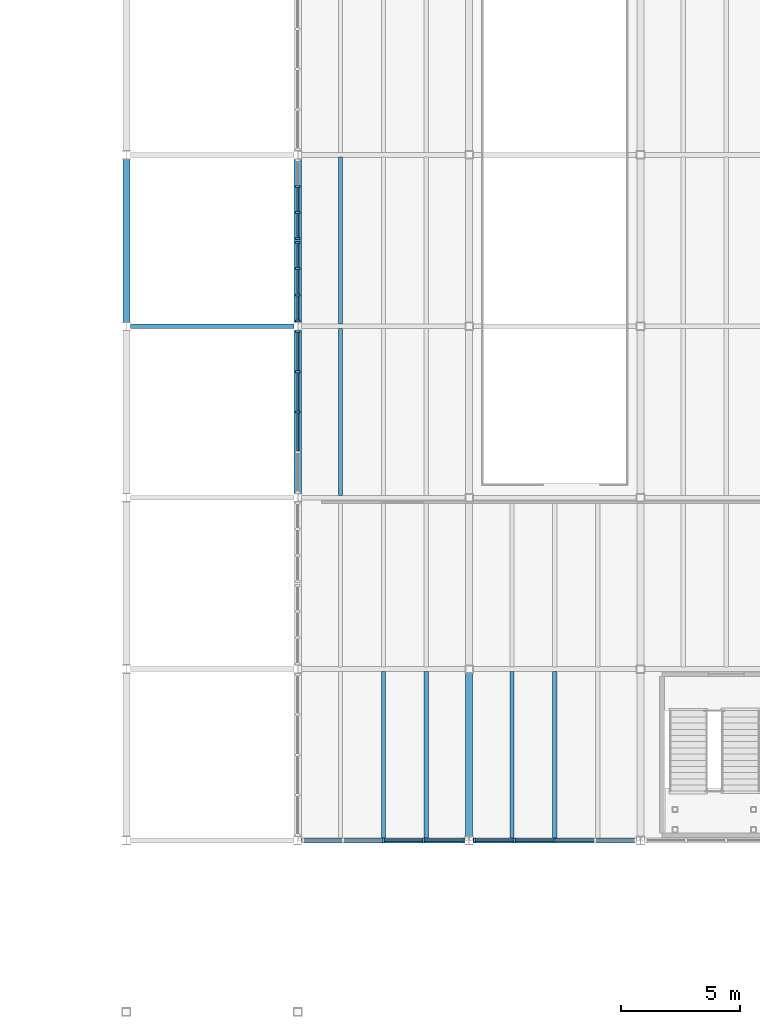
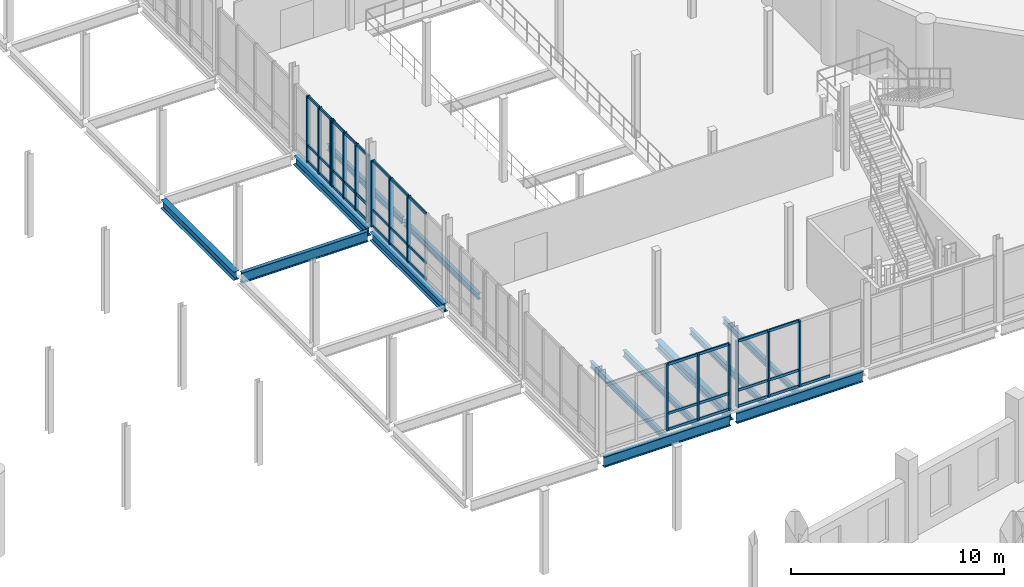
# One storey, part 21 of 77: 53 members, 13 beams, 5 elements without a shape of their own.
"""IFC4 building model written with IfcOpenShell, lengths in metres."""

from ifc_helpers import new_model, si_unit, direction, frame, origin, origin_2d, place, context, subcontext, project, spatial, rectangle, i_section, extrude, material, material_profile, profile_set, type_object, element, aggregate, save


model = new_model("IFC4")

# Units and contexts
model_context = context("Model", 3, precision=1e-05, world=origin(), true_north=direction((0.0, 1.0)))
body_context = subcontext(model_context, "Body", "Model", "MODEL_VIEW")
ifc_project = project(units=[si_unit("LENGTHUNIT", "METRE"), si_unit("AREAUNIT", "SQUARE_METRE"), si_unit("VOLUMEUNIT", "CUBIC_METRE"), si_unit("PLANEANGLEUNIT", "RADIAN"), si_unit("MASSUNIT", "GRAM", prefix="KILO")], contexts=[model_context])

# Site, building, storey
site_placement = place(None, origin())
site = spatial("IfcSite", under=ifc_project, at=site_placement, CompositionType="ELEMENT")
building_placement = place(site_placement, origin())
building = spatial("IfcBuilding", under=site, at=building_placement, Name="Qiaolan Assembly House", CompositionType="ELEMENT")
storey_placement = place(building_placement, frame((0.0, 0.0, 5.39990234375)))
storey = spatial("IfcBuildingStorey", under=building, at=storey_placement, Name="L01", CompositionType="ELEMENT", Elevation=5.39990234375)

# Beams
ifc_material_1 = material(Name="Steel Q355B", Category="steel")
ifc_material_profile_1 = material_profile(ifc_material_1, i_section(OverallWidth=0.300048828125, OverallDepth=0.488037109375, WebThickness=0.010986328125, FlangeThickness=0.01806640625, FilletRadius=0.02001953125, at=origin_2d()), Name="HM 488x300x11x18")
ifc_profile_set_1 = profile_set([ifc_material_profile_1], Name="Steel Q355B")
beam_type_1 = type_object("IfcBeamType", Name="BM-STL-HM488", PredefinedType="BEAM", material=ifc_profile_set_1)
for number, where, z_axis, x_axis, name in (
    (1, (21.60009765625, 57.764892578125, -0.5439453125), (0.0, 1.0, 0.0), (-1.0, 0.0, 0.0), "SB-04 beam BMY-HL-L01-00-03"),
    (2, (28.800048828125, 50.56494140625, -0.5439453125), (0.0, 1.0, 0.0), (-1.0, 0.0, 0.0), "SB-04 beam BMY-HL-L01-01-02"),
    (3, (28.800048828125, 57.764892578125, -0.5439453125), (0.0, 1.0, 0.0), (-1.0, 0.0, 0.0), "SB-04 beam BMY-HL-L01-01-03"),
):
    element("IfcBeam", number, at=place(storey_placement, frame(where, z_axis=z_axis, x_axis=x_axis)), inside=storey, type_object=beam_type_1, Name=name, PredefinedType="BEAM", context=body_context, shape_type="SweptSolid", body=[
        extrude(i_section(OverallWidth=0.300048828125, OverallDepth=0.488037109375, WebThickness=0.010986328125, FlangeThickness=0.01806640625, FilletRadius=0.02001953125, at=origin_2d()), origin(), (0.0, 0.0, 1.0), 6.8701171875),
    ])
beam_1_placement = place(storey_placement, frame((36.0, 36.1650390625, -0.5439453125), z_axis=(0.0, 1.0, 0.0), x_axis=(-1.0, 0.0, 0.0)))
element("IfcBeam", 4, at=beam_1_placement, inside=storey, type_object=beam_type_1, Name="SB-04 beam BMY-HL-L01-02-00", PredefinedType="BEAM", context=body_context, shape_type="SweptSolid", body=[
    extrude(i_section(OverallWidth=0.300048828125, OverallDepth=0.488037109375, WebThickness=0.010986328125, FlangeThickness=0.01806640625, FilletRadius=0.02001953125, at=origin_2d()), origin(), (0.0, 0.0, 1.0), 6.885009765625),
])
ifc_material_profile_2 = material_profile(ifc_material_1, i_section(OverallWidth=0.199951171875, OverallDepth=0.60009765625, WebThickness=0.010986328125, FlangeThickness=0.01708984375, FilletRadius=0.02001953125, at=origin_2d()), Name="HN 600x200x11x17")
ifc_profile_set_2 = profile_set([ifc_material_profile_2], Name="Steel Q355B")
beam_type_2 = type_object("IfcBeamType", Name="BM-STL-HN600", PredefinedType="BEAM", material=ifc_profile_set_2)
for number, where, z_axis, x_axis, name in (
    (5, (28.965087890625, 36.0, -0.599853515625), (1.0, 0.0, 0.0), (0.0, 1.0, 0.0), "SB-03 beam BMX-HL-L01-01-00"),
    (6, (36.1650390625, 36.0, -0.599853515625), (1.0, 0.0, 0.0), (0.0, 1.0, 0.0), "SB-03 beam BMX-HL-L01-02-00"),
):
    element("IfcBeam", number, at=place(storey_placement, frame(where, z_axis=z_axis, x_axis=x_axis)), inside=storey, type_object=beam_type_2, Name=name, PredefinedType="BEAM", context=body_context, shape_type="SweptSolid", body=[
        extrude(i_section(OverallWidth=0.199951171875, OverallDepth=0.60009765625, WebThickness=0.010986328125, FlangeThickness=0.01708984375, FilletRadius=0.02001953125, at=origin_2d()), origin(), (0.0, 0.0, 1.0), 6.869873046875),
    ])
beam_2_placement = place(storey_placement, frame((21.764892578125, 57.60009765625, -0.599853515625), z_axis=(1.0, 0.0, 0.0), x_axis=(0.0, 1.0, 0.0)))
element("IfcBeam", 7, at=beam_2_placement, inside=storey, type_object=beam_type_2, Name="SB-03 beam BMX-HL-L01-00-03", PredefinedType="BEAM", context=body_context, shape_type="SweptSolid", body=[
    extrude(i_section(OverallWidth=0.199951171875, OverallDepth=0.60009765625, WebThickness=0.010986328125, FlangeThickness=0.01708984375, FilletRadius=0.02001953125, at=origin_2d()), origin(), (0.0, 0.0, 1.0), 6.8701171875),
])

# Curtain wall, members
ifc_material_2 = material(Name="Anodised bronze aluminium", Category="aluminium")
curtain_wall_type = type_object("IfcCurtainWallType", Name="CW-HALL-UPPER-480", PredefinedType="NOTDEFINED", material=ifc_material_2)
curtain_wall_1_placement = place(storey_placement, origin())
curtain_wall_1 = element("IfcCurtainWall", 8, at=curtain_wall_1_placement, inside=storey, type_object=curtain_wall_type, Name="CW-01 Hall West facade L01-2", PredefinedType="NOTDEFINED")
ifc_material_profile_3 = material_profile(ifc_material_2, rectangle(XDim=0.0859375, YDim=0.199951171875, at=origin_2d()), Name="MUL 86x200")
ifc_profile_set_3 = profile_set([ifc_material_profile_3], Name="Anodised bronze aluminium")
member_type_1 = type_object("IfcMemberType", Name="CW-HALL-UPPER-480-MUL", PredefinedType="MULLION", material=ifc_profile_set_3)
member_1_placement = place(storey_placement, frame((28.800048828125, 54.0, 0.0), z_axis=(0.0, 0.0, 1.0), x_axis=(0.0, 1.0, 0.0)))
member_1 = element("IfcMember", 9, at=member_1_placement, type_object=member_type_1, Name="ML-02 mullion CW-HALL-W-L01-2-3", PredefinedType="MULLION", context=body_context, shape_type="SweptSolid", body=[
    extrude(rectangle(XDim=0.0859375, YDim=0.199951171875, at=origin_2d()), origin(), (0.0, 0.0, 1.0), 3.800048828125),
])
member_2_placement = place(storey_placement, frame((28.800048828125, 55.68994140625, 0.0), z_axis=(0.0, 0.0, 1.0), x_axis=(0.0, 1.0, 0.0)))
member_2 = element("IfcMember", 10, at=member_2_placement, type_object=member_type_1, Name="ML-02 mullion CW-HALL-W-L01-2-4", PredefinedType="MULLION", context=body_context, shape_type="SweptSolid", body=[
    extrude(rectangle(XDim=0.0859375, YDim=0.199951171875, at=origin_2d()), origin(), (0.0, 0.0, 1.0), 3.800048828125),
])
member_3_placement = place(storey_placement, frame((28.800048828125, 57.3798828125, 0.0), z_axis=(0.0, 0.0, 1.0), x_axis=(0.0, 1.0, 0.0)))
member_3 = element("IfcMember", 11, at=member_3_placement, type_object=member_type_1, Name="ML-02 mullion CW-HALL-W-L01-2-5", PredefinedType="MULLION", context=body_context, shape_type="SweptSolid", body=[
    extrude(rectangle(XDim=0.0859375, YDim=0.199951171875, at=origin_2d()), origin(), (0.0, 0.0, 1.0), 3.800048828125),
])

curtain_wall_2_placement = place(storey_placement, origin())
curtain_wall_2 = element("IfcCurtainWall", 12, at=curtain_wall_2_placement, inside=storey, type_object=curtain_wall_type, Name="CW-01 Hall West facade L01-3A", PredefinedType="NOTDEFINED")
member_4_placement = place(storey_placement, frame((28.800048828125, 57.820068359375, 0.0), z_axis=(0.0, 0.0, 1.0), x_axis=(0.0, 1.0, 0.0)))
member_4 = element("IfcMember", 13, at=member_4_placement, type_object=member_type_1, Name="ML-02 mullion CW-HALL-W-L01-3A-1", PredefinedType="MULLION", context=body_context, shape_type="SweptSolid", body=[
    extrude(rectangle(XDim=0.0859375, YDim=0.199951171875, at=origin_2d()), origin(), (0.0, 0.0, 1.0), 3.800048828125),
])
member_5_placement = place(storey_placement, frame((28.800048828125, 58.919921875, 0.0), z_axis=(0.0, 0.0, 1.0), x_axis=(0.0, 1.0, 0.0)))
member_5 = element("IfcMember", 14, at=member_5_placement, type_object=member_type_1, Name="ML-02 mullion CW-HALL-W-L01-3A-2", PredefinedType="MULLION", context=body_context, shape_type="SweptSolid", body=[
    extrude(rectangle(XDim=0.0859375, YDim=0.199951171875, at=origin_2d()), origin(), (0.0, 0.0, 1.0), 3.800048828125),
])
member_6_placement = place(storey_placement, frame((28.800048828125, 60.02001953125, 0.0), z_axis=(0.0, 0.0, 1.0), x_axis=(0.0, 1.0, 0.0)))
member_6 = element("IfcMember", 15, at=member_6_placement, type_object=member_type_1, Name="ML-02 mullion CW-HALL-W-L01-3A-3", PredefinedType="MULLION", context=body_context, shape_type="SweptSolid", body=[
    extrude(rectangle(XDim=0.0859375, YDim=0.199951171875, at=origin_2d()), origin(), (0.0, 0.0, 1.0), 3.800048828125),
])
member_7_placement = place(storey_placement, frame((28.800048828125, 61.1201171875, 0.0), z_axis=(0.0, 0.0, 1.0), x_axis=(0.0, 1.0, 0.0)))
member_7 = element("IfcMember", 16, at=member_7_placement, type_object=member_type_1, Name="ML-02 mullion CW-HALL-W-L01-3A-4", PredefinedType="MULLION", context=body_context, shape_type="SweptSolid", body=[
    extrude(rectangle(XDim=0.0859375, YDim=0.199951171875, at=origin_2d()), origin(), (0.0, 0.0, 1.0), 3.800048828125),
])

curtain_wall_3_placement = place(storey_placement, origin())
curtain_wall_3 = element("IfcCurtainWall", 17, at=curtain_wall_3_placement, inside=storey, type_object=curtain_wall_type, Name="CW-01 Hall West facade L01-3B", PredefinedType="NOTDEFINED")
member_8_placement = place(storey_placement, frame((28.800048828125, 61.280029296875, 0.0), z_axis=(0.0, 0.0, 1.0), x_axis=(0.0, 1.0, 0.0)))
member_8 = element("IfcMember", 18, at=member_8_placement, type_object=member_type_1, Name="ML-02 mullion CW-HALL-W-L01-3B-1", PredefinedType="MULLION", context=body_context, shape_type="SweptSolid", body=[
    extrude(rectangle(XDim=0.0859375, YDim=0.199951171875, at=origin_2d()), origin(), (0.0, 0.0, 1.0), 3.800048828125),
])
member_9_placement = place(storey_placement, frame((28.800048828125, 62.3798828125, 0.0), z_axis=(0.0, 0.0, 1.0), x_axis=(0.0, 1.0, 0.0)))
member_9 = element("IfcMember", 19, at=member_9_placement, type_object=member_type_1, Name="ML-02 mullion CW-HALL-W-L01-3B-2", PredefinedType="MULLION", context=body_context, shape_type="SweptSolid", body=[
    extrude(rectangle(XDim=0.0859375, YDim=0.199951171875, at=origin_2d()), origin(), (0.0, 0.0, 1.0), 3.800048828125),
])
member_10_placement = place(storey_placement, frame((28.800048828125, 63.47998046875, 0.0), z_axis=(0.0, 0.0, 1.0), x_axis=(0.0, 1.0, 0.0)))
member_10 = element("IfcMember", 20, at=member_10_placement, type_object=member_type_1, Name="ML-02 mullion CW-HALL-W-L01-3B-3", PredefinedType="MULLION", context=body_context, shape_type="SweptSolid", body=[
    extrude(rectangle(XDim=0.0859375, YDim=0.199951171875, at=origin_2d()), origin(), (0.0, 0.0, 1.0), 3.800048828125),
])

curtain_wall_4_placement = place(storey_placement, origin())
curtain_wall_4 = element("IfcCurtainWall", 21, at=curtain_wall_4_placement, inside=storey, type_object=curtain_wall_type, Name="CW-01 Hall South plaza curtain wall L01-1", PredefinedType="NOTDEFINED")
member_11_placement = place(storey_placement, frame((32.39990234375, 36.0, 0.0), z_axis=(0.0, 0.0, 1.0), x_axis=(1.0, 0.0, 0.0)))
member_11 = element("IfcMember", 22, at=member_11_placement, type_object=member_type_1, Name="ML-02 mullion CW-HALL-S-L01-00-3", PredefinedType="MULLION", context=body_context, shape_type="SweptSolid", body=[
    extrude(rectangle(XDim=0.0859375, YDim=0.199951171875, at=origin_2d()), origin(), (0.0, 0.0, 1.0), 3.800048828125),
])
member_12_placement = place(storey_placement, frame((34.090087890625, 36.0, 0.0), z_axis=(0.0, 0.0, 1.0), x_axis=(1.0, 0.0, 0.0)))
member_12 = element("IfcMember", 23, at=member_12_placement, type_object=member_type_1, Name="ML-02 mullion CW-HALL-S-L01-00-4", PredefinedType="MULLION", context=body_context, shape_type="SweptSolid", body=[
    extrude(rectangle(XDim=0.0859375, YDim=0.199951171875, at=origin_2d()), origin(), (0.0, 0.0, 1.0), 3.800048828125),
])
member_13_placement = place(storey_placement, frame((35.780029296875, 36.0, 0.0), z_axis=(0.0, 0.0, 1.0), x_axis=(1.0, 0.0, 0.0)))
member_13 = element("IfcMember", 24, at=member_13_placement, type_object=member_type_1, Name="ML-02 mullion CW-HALL-S-L01-00-5", PredefinedType="MULLION", context=body_context, shape_type="SweptSolid", body=[
    extrude(rectangle(XDim=0.0859375, YDim=0.199951171875, at=origin_2d()), origin(), (0.0, 0.0, 1.0), 3.800048828125),
])

curtain_wall_5_placement = place(storey_placement, origin())
curtain_wall_5 = element("IfcCurtainWall", 25, at=curtain_wall_5_placement, inside=storey, type_object=curtain_wall_type, Name="CW-01 Hall South plaza curtain wall L01-2", PredefinedType="NOTDEFINED")
member_14_placement = place(storey_placement, frame((36.219970703125, 36.0, 0.0), z_axis=(0.0, 0.0, 1.0), x_axis=(1.0, 0.0, 0.0)))
member_14 = element("IfcMember", 26, at=member_14_placement, type_object=member_type_1, Name="ML-02 mullion CW-HALL-S-L01-01-1", PredefinedType="MULLION", context=body_context, shape_type="SweptSolid", body=[
    extrude(rectangle(XDim=0.0859375, YDim=0.199951171875, at=origin_2d()), origin(), (0.0, 0.0, 1.0), 3.800048828125),
])
member_15_placement = place(storey_placement, frame((37.909912109375, 36.0, 0.0), z_axis=(0.0, 0.0, 1.0), x_axis=(1.0, 0.0, 0.0)))
member_15 = element("IfcMember", 27, at=member_15_placement, type_object=member_type_1, Name="ML-02 mullion CW-HALL-S-L01-01-2", PredefinedType="MULLION", context=body_context, shape_type="SweptSolid", body=[
    extrude(rectangle(XDim=0.0859375, YDim=0.199951171875, at=origin_2d()), origin(), (0.0, 0.0, 1.0), 3.800048828125),
])
member_16_placement = place(storey_placement, frame((39.60009765625, 36.0, 0.0), z_axis=(0.0, 0.0, 1.0), x_axis=(1.0, 0.0, 0.0)))
member_16 = element("IfcMember", 28, at=member_16_placement, type_object=member_type_1, Name="ML-02 mullion CW-HALL-S-L01-01-3", PredefinedType="MULLION", context=body_context, shape_type="SweptSolid", body=[
    extrude(rectangle(XDim=0.0859375, YDim=0.199951171875, at=origin_2d()), origin(), (0.0, 0.0, 1.0), 3.800048828125),
])

# Member
ifc_material_profile_4 = material_profile(ifc_material_2, rectangle(XDim=0.075927734375, YDim=0.14990234375, at=origin_2d()), Name="TRN 76x150")
ifc_profile_set_4 = profile_set([ifc_material_profile_4], Name="Anodised bronze aluminium")
member_type_2 = type_object("IfcMemberType", Name="CW-HALL-UPPER-480-TRN", PredefinedType="USERDEFINED", material=ifc_profile_set_4)
member_17_placement = place(storey_placement, frame((28.800048828125, 52.35302734375, 0.030029296875), z_axis=(0.0, 1.0, 0.0), x_axis=(-1.0, 0.0, 0.0)))
member_17 = element("IfcMember", 29, at=member_17_placement, type_object=member_type_2, Name="TR-02 transom CW-HALL-W-L01-2-2-1", ObjectType="TRANSOM", PredefinedType="USERDEFINED", context=body_context, shape_type="SweptSolid", body=[
    extrude(rectangle(XDim=0.075927734375, YDim=0.14990234375, at=origin_2d()), origin(), (0.0, 0.0, 1.0), 1.60400390625),
])

member_18_placement = place(storey_placement, frame((28.800048828125, 52.35302734375, 0.9501953125), z_axis=(0.0, 1.0, 0.0), x_axis=(-1.0, 0.0, 0.0)))
member_18 = element("IfcMember", 30, at=member_18_placement, type_object=member_type_2, Name="TR-02 transom CW-HALL-W-L01-2-2-2", ObjectType="TRANSOM", PredefinedType="USERDEFINED", context=body_context, shape_type="SweptSolid", body=[
    extrude(rectangle(XDim=0.075927734375, YDim=0.14990234375, at=origin_2d()), origin(), (0.0, 0.0, 1.0), 1.60400390625),
])

member_19_placement = place(storey_placement, frame((28.800048828125, 52.35302734375, 3.77001953125), z_axis=(0.0, 1.0, 0.0), x_axis=(-1.0, 0.0, 0.0)))
member_19 = element("IfcMember", 31, at=member_19_placement, type_object=member_type_2, Name="TR-02 transom CW-HALL-W-L01-2-2-3", ObjectType="TRANSOM", PredefinedType="USERDEFINED", context=body_context, shape_type="SweptSolid", body=[
    extrude(rectangle(XDim=0.075927734375, YDim=0.14990234375, at=origin_2d()), origin(), (0.0, 0.0, 1.0), 1.60400390625),
])

member_20_placement = place(storey_placement, frame((28.800048828125, 54.04296875, 0.030029296875), z_axis=(0.0, 1.0, 0.0), x_axis=(-1.0, 0.0, 0.0)))
member_20 = element("IfcMember", 32, at=member_20_placement, type_object=member_type_2, Name="TR-02 transom CW-HALL-W-L01-2-3-1", ObjectType="TRANSOM", PredefinedType="USERDEFINED", context=body_context, shape_type="SweptSolid", body=[
    extrude(rectangle(XDim=0.075927734375, YDim=0.14990234375, at=origin_2d()), origin(), (0.0, 0.0, 1.0), 1.60400390625),
])

member_21_placement = place(storey_placement, frame((28.800048828125, 54.04296875, 0.9501953125), z_axis=(0.0, 1.0, 0.0), x_axis=(-1.0, 0.0, 0.0)))
member_21 = element("IfcMember", 33, at=member_21_placement, type_object=member_type_2, Name="TR-02 transom CW-HALL-W-L01-2-3-2", ObjectType="TRANSOM", PredefinedType="USERDEFINED", context=body_context, shape_type="SweptSolid", body=[
    extrude(rectangle(XDim=0.075927734375, YDim=0.14990234375, at=origin_2d()), origin(), (0.0, 0.0, 1.0), 1.60400390625),
])

member_22_placement = place(storey_placement, frame((28.800048828125, 54.04296875, 3.77001953125), z_axis=(0.0, 1.0, 0.0), x_axis=(-1.0, 0.0, 0.0)))
member_22 = element("IfcMember", 34, at=member_22_placement, type_object=member_type_2, Name="TR-02 transom CW-HALL-W-L01-2-3-3", ObjectType="TRANSOM", PredefinedType="USERDEFINED", context=body_context, shape_type="SweptSolid", body=[
    extrude(rectangle(XDim=0.075927734375, YDim=0.14990234375, at=origin_2d()), origin(), (0.0, 0.0, 1.0), 1.60400390625),
])

member_23_placement = place(storey_placement, frame((28.800048828125, 55.73291015625, 0.030029296875), z_axis=(0.0, 1.0, 0.0), x_axis=(-1.0, 0.0, 0.0)))
member_23 = element("IfcMember", 35, at=member_23_placement, type_object=member_type_2, Name="TR-02 transom CW-HALL-W-L01-2-4-1", ObjectType="TRANSOM", PredefinedType="USERDEFINED", context=body_context, shape_type="SweptSolid", body=[
    extrude(rectangle(XDim=0.075927734375, YDim=0.14990234375, at=origin_2d()), origin(), (0.0, 0.0, 1.0), 1.60400390625),
])

member_24_placement = place(storey_placement, frame((28.800048828125, 55.73291015625, 0.9501953125), z_axis=(0.0, 1.0, 0.0), x_axis=(-1.0, 0.0, 0.0)))
member_24 = element("IfcMember", 36, at=member_24_placement, type_object=member_type_2, Name="TR-02 transom CW-HALL-W-L01-2-4-2", ObjectType="TRANSOM", PredefinedType="USERDEFINED", context=body_context, shape_type="SweptSolid", body=[
    extrude(rectangle(XDim=0.075927734375, YDim=0.14990234375, at=origin_2d()), origin(), (0.0, 0.0, 1.0), 1.60400390625),
])

member_25_placement = place(storey_placement, frame((28.800048828125, 55.73291015625, 3.77001953125), z_axis=(0.0, 1.0, 0.0), x_axis=(-1.0, 0.0, 0.0)))
member_25 = element("IfcMember", 37, at=member_25_placement, type_object=member_type_2, Name="TR-02 transom CW-HALL-W-L01-2-4-3", ObjectType="TRANSOM", PredefinedType="USERDEFINED", context=body_context, shape_type="SweptSolid", body=[
    extrude(rectangle(XDim=0.075927734375, YDim=0.14990234375, at=origin_2d()), origin(), (0.0, 0.0, 1.0), 1.60400390625),
])

aggregate(curtain_wall_1, [member_1, member_2, member_3, member_17, member_18, member_19, member_20, member_21, member_22, member_23, member_24, member_25])

member_26_placement = place(storey_placement, frame((28.800048828125, 57.863037109375, 0.030029296875), z_axis=(0.0, 1.0, 0.0), x_axis=(-1.0, 0.0, 0.0)))
member_26 = element("IfcMember", 38, at=member_26_placement, type_object=member_type_2, Name="TR-02 transom CW-HALL-W-L01-3A-1-1", ObjectType="TRANSOM", PredefinedType="USERDEFINED", context=body_context, shape_type="SweptSolid", body=[
    extrude(rectangle(XDim=0.075927734375, YDim=0.14990234375, at=origin_2d()), origin(), (0.0, 0.0, 1.0), 1.013916015625),
])

member_27_placement = place(storey_placement, frame((28.800048828125, 57.863037109375, 0.9501953125), z_axis=(0.0, 1.0, 0.0), x_axis=(-1.0, 0.0, 0.0)))
member_27 = element("IfcMember", 39, at=member_27_placement, type_object=member_type_2, Name="TR-02 transom CW-HALL-W-L01-3A-1-2", ObjectType="TRANSOM", PredefinedType="USERDEFINED", context=body_context, shape_type="SweptSolid", body=[
    extrude(rectangle(XDim=0.075927734375, YDim=0.14990234375, at=origin_2d()), origin(), (0.0, 0.0, 1.0), 1.013916015625),
])

member_28_placement = place(storey_placement, frame((28.800048828125, 57.863037109375, 3.77001953125), z_axis=(0.0, 1.0, 0.0), x_axis=(-1.0, 0.0, 0.0)))
member_28 = element("IfcMember", 40, at=member_28_placement, type_object=member_type_2, Name="TR-02 transom CW-HALL-W-L01-3A-1-3", ObjectType="TRANSOM", PredefinedType="USERDEFINED", context=body_context, shape_type="SweptSolid", body=[
    extrude(rectangle(XDim=0.075927734375, YDim=0.14990234375, at=origin_2d()), origin(), (0.0, 0.0, 1.0), 1.013916015625),
])

member_29_placement = place(storey_placement, frame((28.800048828125, 58.962890625, 0.030029296875), z_axis=(0.0, 1.0, 0.0), x_axis=(-1.0, 0.0, 0.0)))
member_29 = element("IfcMember", 41, at=member_29_placement, type_object=member_type_2, Name="TR-02 transom CW-HALL-W-L01-3A-2-1", ObjectType="TRANSOM", PredefinedType="USERDEFINED", context=body_context, shape_type="SweptSolid", body=[
    extrude(rectangle(XDim=0.075927734375, YDim=0.14990234375, at=origin_2d()), origin(), (0.0, 0.0, 1.0), 1.01416015625),
])

member_30_placement = place(storey_placement, frame((28.800048828125, 58.962890625, 0.9501953125), z_axis=(0.0, 1.0, 0.0), x_axis=(-1.0, 0.0, 0.0)))
member_30 = element("IfcMember", 42, at=member_30_placement, type_object=member_type_2, Name="TR-02 transom CW-HALL-W-L01-3A-2-2", ObjectType="TRANSOM", PredefinedType="USERDEFINED", context=body_context, shape_type="SweptSolid", body=[
    extrude(rectangle(XDim=0.075927734375, YDim=0.14990234375, at=origin_2d()), origin(), (0.0, 0.0, 1.0), 1.01416015625),
])

member_31_placement = place(storey_placement, frame((28.800048828125, 58.962890625, 3.77001953125), z_axis=(0.0, 1.0, 0.0), x_axis=(-1.0, 0.0, 0.0)))
member_31 = element("IfcMember", 43, at=member_31_placement, type_object=member_type_2, Name="TR-02 transom CW-HALL-W-L01-3A-2-3", ObjectType="TRANSOM", PredefinedType="USERDEFINED", context=body_context, shape_type="SweptSolid", body=[
    extrude(rectangle(XDim=0.075927734375, YDim=0.14990234375, at=origin_2d()), origin(), (0.0, 0.0, 1.0), 1.01416015625),
])

member_32_placement = place(storey_placement, frame((28.800048828125, 60.06298828125, 0.030029296875), z_axis=(0.0, 1.0, 0.0), x_axis=(-1.0, 0.0, 0.0)))
member_32 = element("IfcMember", 44, at=member_32_placement, type_object=member_type_2, Name="TR-02 transom CW-HALL-W-L01-3A-3-1", ObjectType="TRANSOM", PredefinedType="USERDEFINED", context=body_context, shape_type="SweptSolid", body=[
    extrude(rectangle(XDim=0.075927734375, YDim=0.14990234375, at=origin_2d()), origin(), (0.0, 0.0, 1.0), 1.013916015625),
])

member_33_placement = place(storey_placement, frame((28.800048828125, 60.06298828125, 0.9501953125), z_axis=(0.0, 1.0, 0.0), x_axis=(-1.0, 0.0, 0.0)))
member_33 = element("IfcMember", 45, at=member_33_placement, type_object=member_type_2, Name="TR-02 transom CW-HALL-W-L01-3A-3-2", ObjectType="TRANSOM", PredefinedType="USERDEFINED", context=body_context, shape_type="SweptSolid", body=[
    extrude(rectangle(XDim=0.075927734375, YDim=0.14990234375, at=origin_2d()), origin(), (0.0, 0.0, 1.0), 1.013916015625),
])

member_34_placement = place(storey_placement, frame((28.800048828125, 60.06298828125, 3.77001953125), z_axis=(0.0, 1.0, 0.0), x_axis=(-1.0, 0.0, 0.0)))
member_34 = element("IfcMember", 46, at=member_34_placement, type_object=member_type_2, Name="TR-02 transom CW-HALL-W-L01-3A-3-3", ObjectType="TRANSOM", PredefinedType="USERDEFINED", context=body_context, shape_type="SweptSolid", body=[
    extrude(rectangle(XDim=0.075927734375, YDim=0.14990234375, at=origin_2d()), origin(), (0.0, 0.0, 1.0), 1.013916015625),
])

aggregate(curtain_wall_2, [member_4, member_5, member_6, member_7, member_26, member_27, member_28, member_29, member_30, member_31, member_32, member_33, member_34])

member_35_placement = place(storey_placement, frame((28.800048828125, 61.322998046875, 0.030029296875), z_axis=(0.0, 1.0, 0.0), x_axis=(-1.0, 0.0, 0.0)))
member_35 = element("IfcMember", 47, at=member_35_placement, type_object=member_type_2, Name="TR-02 transom CW-HALL-W-L01-3B-1-1", ObjectType="TRANSOM", PredefinedType="USERDEFINED", context=body_context, shape_type="SweptSolid", body=[
    extrude(rectangle(XDim=0.075927734375, YDim=0.14990234375, at=origin_2d()), origin(), (0.0, 0.0, 1.0), 1.013916015625),
])

member_36_placement = place(storey_placement, frame((28.800048828125, 61.322998046875, 0.9501953125), z_axis=(0.0, 1.0, 0.0), x_axis=(-1.0, 0.0, 0.0)))
member_36 = element("IfcMember", 48, at=member_36_placement, type_object=member_type_2, Name="TR-02 transom CW-HALL-W-L01-3B-1-2", ObjectType="TRANSOM", PredefinedType="USERDEFINED", context=body_context, shape_type="SweptSolid", body=[
    extrude(rectangle(XDim=0.075927734375, YDim=0.14990234375, at=origin_2d()), origin(), (0.0, 0.0, 1.0), 1.013916015625),
])

member_37_placement = place(storey_placement, frame((28.800048828125, 61.322998046875, 3.77001953125), z_axis=(0.0, 1.0, 0.0), x_axis=(-1.0, 0.0, 0.0)))
member_37 = element("IfcMember", 49, at=member_37_placement, type_object=member_type_2, Name="TR-02 transom CW-HALL-W-L01-3B-1-3", ObjectType="TRANSOM", PredefinedType="USERDEFINED", context=body_context, shape_type="SweptSolid", body=[
    extrude(rectangle(XDim=0.075927734375, YDim=0.14990234375, at=origin_2d()), origin(), (0.0, 0.0, 1.0), 1.013916015625),
])

member_38_placement = place(storey_placement, frame((28.800048828125, 62.423095703125, 0.030029296875), z_axis=(0.0, 1.0, 0.0), x_axis=(-1.0, 0.0, 0.0)))
member_38 = element("IfcMember", 50, at=member_38_placement, type_object=member_type_2, Name="TR-02 transom CW-HALL-W-L01-3B-2-1", ObjectType="TRANSOM", PredefinedType="USERDEFINED", context=body_context, shape_type="SweptSolid", body=[
    extrude(rectangle(XDim=0.075927734375, YDim=0.14990234375, at=origin_2d()), origin(), (0.0, 0.0, 1.0), 1.013916015625),
])

member_39_placement = place(storey_placement, frame((28.800048828125, 62.423095703125, 0.9501953125), z_axis=(0.0, 1.0, 0.0), x_axis=(-1.0, 0.0, 0.0)))
member_39 = element("IfcMember", 51, at=member_39_placement, type_object=member_type_2, Name="TR-02 transom CW-HALL-W-L01-3B-2-2", ObjectType="TRANSOM", PredefinedType="USERDEFINED", context=body_context, shape_type="SweptSolid", body=[
    extrude(rectangle(XDim=0.075927734375, YDim=0.14990234375, at=origin_2d()), origin(), (0.0, 0.0, 1.0), 1.013916015625),
])

member_40_placement = place(storey_placement, frame((28.800048828125, 62.423095703125, 3.77001953125), z_axis=(0.0, 1.0, 0.0), x_axis=(-1.0, 0.0, 0.0)))
member_40 = element("IfcMember", 52, at=member_40_placement, type_object=member_type_2, Name="TR-02 transom CW-HALL-W-L01-3B-2-3", ObjectType="TRANSOM", PredefinedType="USERDEFINED", context=body_context, shape_type="SweptSolid", body=[
    extrude(rectangle(XDim=0.075927734375, YDim=0.14990234375, at=origin_2d()), origin(), (0.0, 0.0, 1.0), 1.013916015625),
])

aggregate(curtain_wall_3, [member_8, member_9, member_10, member_35, member_36, member_37, member_38, member_39, member_40])

member_41_placement = place(storey_placement, frame((32.443115234375, 36.0, 0.030029296875), z_axis=(1.0, 0.0, 0.0), x_axis=(0.0, 1.0, 0.0)))
member_41 = element("IfcMember", 53, at=member_41_placement, type_object=member_type_2, Name="TR-02 transom CW-HALL-S-L01-00-3-1", ObjectType="TRANSOM", PredefinedType="USERDEFINED", context=body_context, shape_type="SweptSolid", body=[
    extrude(rectangle(XDim=0.075927734375, YDim=0.14990234375, at=origin_2d()), origin(), (0.0, 0.0, 1.0), 1.60400390625),
])

member_42_placement = place(storey_placement, frame((32.443115234375, 36.0, 0.9501953125), z_axis=(1.0, 0.0, 0.0), x_axis=(0.0, 1.0, 0.0)))
member_42 = element("IfcMember", 54, at=member_42_placement, type_object=member_type_2, Name="TR-02 transom CW-HALL-S-L01-00-3-2", ObjectType="TRANSOM", PredefinedType="USERDEFINED", context=body_context, shape_type="SweptSolid", body=[
    extrude(rectangle(XDim=0.075927734375, YDim=0.14990234375, at=origin_2d()), origin(), (0.0, 0.0, 1.0), 1.60400390625),
])

member_43_placement = place(storey_placement, frame((32.443115234375, 36.0, 3.77001953125), z_axis=(1.0, 0.0, 0.0), x_axis=(0.0, 1.0, 0.0)))
member_43 = element("IfcMember", 55, at=member_43_placement, type_object=member_type_2, Name="TR-02 transom CW-HALL-S-L01-00-3-3", ObjectType="TRANSOM", PredefinedType="USERDEFINED", context=body_context, shape_type="SweptSolid", body=[
    extrude(rectangle(XDim=0.075927734375, YDim=0.14990234375, at=origin_2d()), origin(), (0.0, 0.0, 1.0), 1.60400390625),
])

member_44_placement = place(storey_placement, frame((34.133056640625, 36.0, 0.030029296875), z_axis=(1.0, 0.0, 0.0), x_axis=(0.0, 1.0, 0.0)))
member_44 = element("IfcMember", 56, at=member_44_placement, type_object=member_type_2, Name="TR-02 transom CW-HALL-S-L01-00-4-1", ObjectType="TRANSOM", PredefinedType="USERDEFINED", context=body_context, shape_type="SweptSolid", body=[
    extrude(rectangle(XDim=0.075927734375, YDim=0.14990234375, at=origin_2d()), origin(), (0.0, 0.0, 1.0), 1.60400390625),
])

member_45_placement = place(storey_placement, frame((34.133056640625, 36.0, 0.9501953125), z_axis=(1.0, 0.0, 0.0), x_axis=(0.0, 1.0, 0.0)))
member_45 = element("IfcMember", 57, at=member_45_placement, type_object=member_type_2, Name="TR-02 transom CW-HALL-S-L01-00-4-2", ObjectType="TRANSOM", PredefinedType="USERDEFINED", context=body_context, shape_type="SweptSolid", body=[
    extrude(rectangle(XDim=0.075927734375, YDim=0.14990234375, at=origin_2d()), origin(), (0.0, 0.0, 1.0), 1.60400390625),
])

member_46_placement = place(storey_placement, frame((34.133056640625, 36.0, 3.77001953125), z_axis=(1.0, 0.0, 0.0), x_axis=(0.0, 1.0, 0.0)))
member_46 = element("IfcMember", 58, at=member_46_placement, type_object=member_type_2, Name="TR-02 transom CW-HALL-S-L01-00-4-3", ObjectType="TRANSOM", PredefinedType="USERDEFINED", context=body_context, shape_type="SweptSolid", body=[
    extrude(rectangle(XDim=0.075927734375, YDim=0.14990234375, at=origin_2d()), origin(), (0.0, 0.0, 1.0), 1.60400390625),
])

aggregate(curtain_wall_4, [member_11, member_12, member_13, member_41, member_42, member_43, member_44, member_45, member_46])

member_47_placement = place(storey_placement, frame((36.262939453125, 36.0, 0.030029296875), z_axis=(1.0, 0.0, 0.0), x_axis=(0.0, 1.0, 0.0)))
member_47 = element("IfcMember", 59, at=member_47_placement, type_object=member_type_2, Name="TR-02 transom CW-HALL-S-L01-01-1-1", ObjectType="TRANSOM", PredefinedType="USERDEFINED", context=body_context, shape_type="SweptSolid", body=[
    extrude(rectangle(XDim=0.075927734375, YDim=0.14990234375, at=origin_2d()), origin(), (0.0, 0.0, 1.0), 1.60400390625),
])

member_48_placement = place(storey_placement, frame((36.262939453125, 36.0, 0.9501953125), z_axis=(1.0, 0.0, 0.0), x_axis=(0.0, 1.0, 0.0)))
member_48 = element("IfcMember", 60, at=member_48_placement, type_object=member_type_2, Name="TR-02 transom CW-HALL-S-L01-01-1-2", ObjectType="TRANSOM", PredefinedType="USERDEFINED", context=body_context, shape_type="SweptSolid", body=[
    extrude(rectangle(XDim=0.075927734375, YDim=0.14990234375, at=origin_2d()), origin(), (0.0, 0.0, 1.0), 1.60400390625),
])

member_49_placement = place(storey_placement, frame((36.262939453125, 36.0, 3.77001953125), z_axis=(1.0, 0.0, 0.0), x_axis=(0.0, 1.0, 0.0)))
member_49 = element("IfcMember", 61, at=member_49_placement, type_object=member_type_2, Name="TR-02 transom CW-HALL-S-L01-01-1-3", ObjectType="TRANSOM", PredefinedType="USERDEFINED", context=body_context, shape_type="SweptSolid", body=[
    extrude(rectangle(XDim=0.075927734375, YDim=0.14990234375, at=origin_2d()), origin(), (0.0, 0.0, 1.0), 1.60400390625),
])

member_50_placement = place(storey_placement, frame((37.952880859375, 36.0, 0.030029296875), z_axis=(1.0, 0.0, 0.0), x_axis=(0.0, 1.0, 0.0)))
member_50 = element("IfcMember", 62, at=member_50_placement, type_object=member_type_2, Name="TR-02 transom CW-HALL-S-L01-01-2-1", ObjectType="TRANSOM", PredefinedType="USERDEFINED", context=body_context, shape_type="SweptSolid", body=[
    extrude(rectangle(XDim=0.075927734375, YDim=0.14990234375, at=origin_2d()), origin(), (0.0, 0.0, 1.0), 1.60400390625),
])

member_51_placement = place(storey_placement, frame((37.952880859375, 36.0, 0.9501953125), z_axis=(1.0, 0.0, 0.0), x_axis=(0.0, 1.0, 0.0)))
member_51 = element("IfcMember", 63, at=member_51_placement, type_object=member_type_2, Name="TR-02 transom CW-HALL-S-L01-01-2-2", ObjectType="TRANSOM", PredefinedType="USERDEFINED", context=body_context, shape_type="SweptSolid", body=[
    extrude(rectangle(XDim=0.075927734375, YDim=0.14990234375, at=origin_2d()), origin(), (0.0, 0.0, 1.0), 1.60400390625),
])

member_52_placement = place(storey_placement, frame((37.952880859375, 36.0, 3.77001953125), z_axis=(1.0, 0.0, 0.0), x_axis=(0.0, 1.0, 0.0)))
member_52 = element("IfcMember", 64, at=member_52_placement, type_object=member_type_2, Name="TR-02 transom CW-HALL-S-L01-01-2-3", ObjectType="TRANSOM", PredefinedType="USERDEFINED", context=body_context, shape_type="SweptSolid", body=[
    extrude(rectangle(XDim=0.075927734375, YDim=0.14990234375, at=origin_2d()), origin(), (0.0, 0.0, 1.0), 1.60400390625),
])

member_53_placement = place(storey_placement, frame((39.64306640625, 36.0, 0.030029296875), z_axis=(1.0, 0.0, 0.0), x_axis=(0.0, 1.0, 0.0)))
member_53 = element("IfcMember", 65, at=member_53_placement, type_object=member_type_2, Name="TR-02 transom CW-HALL-S-L01-01-3-1", ObjectType="TRANSOM", PredefinedType="USERDEFINED", context=body_context, shape_type="SweptSolid", body=[
    extrude(rectangle(XDim=0.075927734375, YDim=0.14990234375, at=origin_2d()), origin(), (0.0, 0.0, 1.0), 1.60400390625),
])

aggregate(curtain_wall_5, [member_14, member_15, member_16, member_47, member_48, member_49, member_50, member_51, member_52, member_53])

# Beams
ifc_material_profile_5 = material_profile(ifc_material_1, i_section(OverallWidth=0.179931640625, OverallDepth=0.360107421875, WebThickness=0.008056640625, FlangeThickness=0.011962890625, FilletRadius=0.013916015625, at=origin_2d()), Name="HN 360x180x8x12")
ifc_profile_set_5 = profile_set([ifc_material_profile_5], Name="Steel Q355B")
beam_type_3 = type_object("IfcBeamType", Name="JST-STL-HN360", PredefinedType="JOIST", material=ifc_profile_set_5)
for number, where, z_axis, x_axis, name in (
    (66, (32.39990234375, 36.093994140625, -0.47998046875), (0.0, 1.0, 0.0), (-1.0, 0.0, 0.0), "SJ-06 beam JST-HL-L01-01-00-2"),
    (67, (34.199951171875, 36.093994140625, -0.47998046875), (0.0, 1.0, 0.0), (-1.0, 0.0, 0.0), "SJ-06 beam JST-HL-L01-01-00-3"),
):
    element("IfcBeam", number, at=place(storey_placement, frame(where, z_axis=z_axis, x_axis=x_axis)), inside=storey, type_object=beam_type_3, Name=name, PredefinedType="JOIST", context=body_context, shape_type="SweptSolid", body=[
        extrude(i_section(OverallWidth=0.179931640625, OverallDepth=0.360107421875, WebThickness=0.008056640625, FlangeThickness=0.011962890625, FilletRadius=0.013916015625, at=origin_2d()), origin(), (0.0, 0.0, 1.0), 7.011962890625),
    ])
beam_3_placement = place(storey_placement, frame((30.60009765625, 50.493896484375, -0.47998046875), z_axis=(0.0, 1.0, 0.0), x_axis=(-1.0, 0.0, 0.0)))
element("IfcBeam", 68, at=beam_3_placement, inside=storey, type_object=beam_type_3, Name="SJ-06 beam JST-HL-L01-01-02-1", PredefinedType="JOIST", context=body_context, shape_type="SweptSolid", body=[
    extrude(i_section(OverallWidth=0.179931640625, OverallDepth=0.360107421875, WebThickness=0.008056640625, FlangeThickness=0.011962890625, FilletRadius=0.013916015625, at=origin_2d()), origin(), (0.0, 0.0, 1.0), 7.01220703125),
])
for number, where, z_axis, x_axis, name in (
    (69, (30.60009765625, 57.694091796875, -0.47998046875), (0.0, 1.0, 0.0), (-1.0, 0.0, 0.0), "SJ-06 beam JST-HL-L01-01-03-1"),
    (70, (37.800048828125, 36.093994140625, -0.47998046875), (0.0, 1.0, 0.0), (-1.0, 0.0, 0.0), "SJ-06 beam JST-HL-L01-02-00-1"),
    (71, (39.60009765625, 36.093994140625, -0.47998046875), (0.0, 1.0, 0.0), (-1.0, 0.0, 0.0), "SJ-06 beam JST-HL-L01-02-00-2"),
):
    element("IfcBeam", number, at=place(storey_placement, frame(where, z_axis=z_axis, x_axis=x_axis)), inside=storey, type_object=beam_type_3, Name=name, PredefinedType="JOIST", context=body_context, shape_type="SweptSolid", body=[
        extrude(i_section(OverallWidth=0.179931640625, OverallDepth=0.360107421875, WebThickness=0.008056640625, FlangeThickness=0.011962890625, FilletRadius=0.013916015625, at=origin_2d()), origin(), (0.0, 0.0, 1.0), 7.011962890625),
    ])

save(model, "model.ifc")
